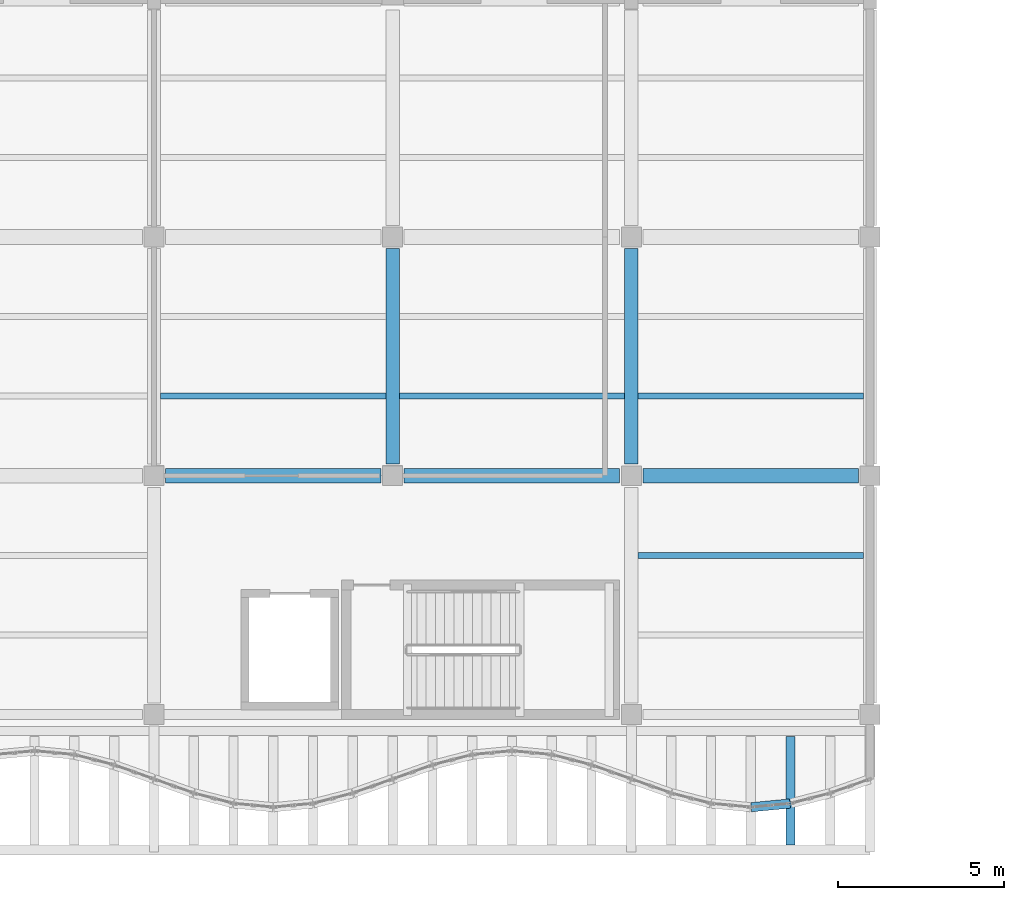
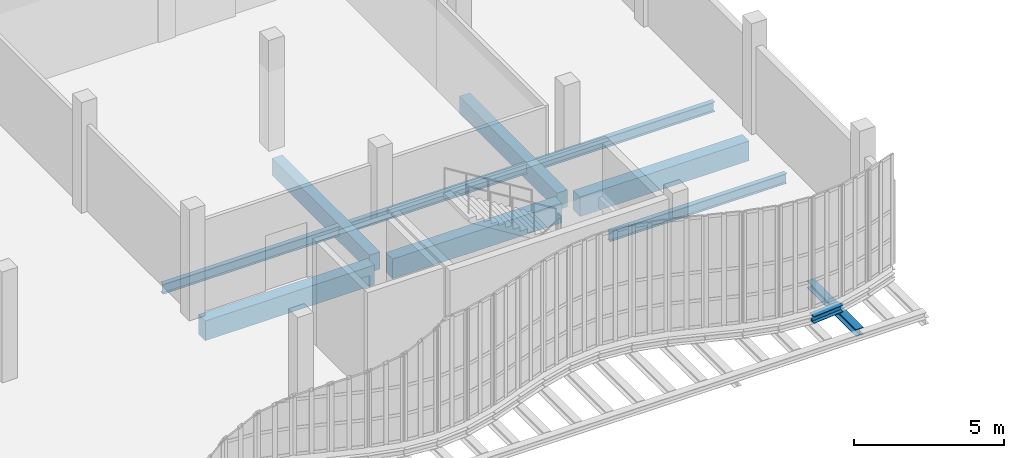
# One storey, part 34 of 105: 11 beams.
"""IFC4 building model written with IfcOpenShell, lengths in metres."""

from ifc_helpers import new_model, si_unit, direction, frame, origin, origin_2d, place, context, subcontext, project, spatial, rectangle, i_section, extrude, material, material_profile, profile_set, type_object, element, save


model = new_model("IFC4")

# Units and contexts
model_context = context("Model", 3, precision=1e-05, world=origin(), true_north=direction((0.0, 1.0)))
body_context = subcontext(model_context, "Body", "Model", "MODEL_VIEW")
ifc_project = project(units=[si_unit("LENGTHUNIT", "METRE"), si_unit("AREAUNIT", "SQUARE_METRE"), si_unit("VOLUMEUNIT", "CUBIC_METRE"), si_unit("PLANEANGLEUNIT", "RADIAN"), si_unit("MASSUNIT", "GRAM", prefix="KILO"), si_unit("THERMODYNAMICTEMPERATUREUNIT", "KELVIN"), si_unit("POWERUNIT", "WATT")], contexts=[model_context])

# Site, building, storey
site_placement = place(None, origin())
site = spatial("IfcSite", under=ifc_project, at=site_placement, CompositionType="ELEMENT")
building_placement = place(site_placement, origin())
building = spatial("IfcBuilding", under=site, at=building_placement, Name="Kaldorven Railside Theatre", CompositionType="ELEMENT")
storey_placement = place(building_placement, frame((0.0, 0.0, 9.89990234375)))
storey = spatial("IfcBuildingStorey", under=building, at=storey_placement, Name="L02", CompositionType="ELEMENT", Elevation=9.89990234375)

# Beams
ifc_material_1 = material(Name="Steel S355", Category="steel")
ifc_material_profile_1 = material_profile(ifc_material_1, i_section(OverallWidth=0.280029296875, OverallDepth=0.280029296875, WebThickness=0.010498046875, FlangeThickness=0.01806640625, at=origin_2d()), Name="HEB 280")
ifc_profile_set_1 = profile_set([ifc_material_profile_1], Name="Steel S355")
beam_type_1 = type_object("IfcBeamType", Name="BM-HEB280", PredefinedType="SPANDREL", material=ifc_profile_set_1)
beam_1_placement = place(storey_placement, frame((119.614990234375, 16.4013671875, -0.419921875), z_axis=(0.99552436473, 0.094505233873, 0.0), x_axis=(-0.094505233873, 0.99552436473, 0.0)))
element("IfcBeam", 1, at=beam_1_placement, inside=storey, type_object=beam_type_1, Name="L02 Sinusoidal Flute Edge Spandrel FSB-142", PredefinedType="SPANDREL", context=body_context, shape_type="SweptSolid", body=[
    extrude(i_section(OverallWidth=0.280029296875, OverallDepth=0.280029296875, WebThickness=0.010498046875, FlangeThickness=0.01806640625, at=origin_2d()), origin(), (0.0, 0.0, 1.0), 1.175537109375),
])
beam_2_placement = place(storey_placement, frame((120.800048828125, 15.260009765625, -0.699951171875), z_axis=(0.0, 1.0, 0.0), x_axis=(-1.0, 0.0, 0.0)))
element("IfcBeam", 2, at=beam_2_placement, inside=storey, type_object=beam_type_1, Name="L02 Sinusoidal Diaphragm Rib Outrigger FOB-M143", PredefinedType="SPANDREL", context=body_context, shape_type="SweptSolid", body=[
    extrude(i_section(OverallWidth=0.280029296875, OverallDepth=0.280029296875, WebThickness=0.010498046875, FlangeThickness=0.01806640625, at=origin_2d()), origin(), (0.0, 0.0, 1.0), 3.280029296875),
])
ifc_material_profile_2 = material_profile(ifc_material_1, i_section(OverallWidth=0.179931640625, OverallDepth=0.39990234375, WebThickness=0.008544921875, FlangeThickness=0.013427734375, at=origin_2d()), Name="IPE 400")
ifc_profile_set_2 = profile_set([ifc_material_profile_2], Name="Steel S355")
beam_type_2 = type_object("IfcBeamType", Name="BM-IPE400", PredefinedType="JOIST", material=ifc_profile_set_2)
for number, where, z_axis, x_axis, name in (
    (3, (116.199951171875, 24.0, -0.47998046875), (1.0, 0.0, 0.0), (0.0, 1.0, 0.0), "L02 Secondary Floor Joist JG-L02-116-0240"),
    (4, (101.800048828125, 28.800048828125, -0.47998046875), (1.0, 0.0, 0.0), (0.0, 1.0, 0.0), "L02 Secondary Floor Joist JG-L02-101-0288"),
    (5, (109.0, 28.800048828125, -0.47998046875), (1.0, 0.0, 0.0), (0.0, 1.0, 0.0), "L02 Secondary Floor Joist JG-L02-108-0288"),
    (6, (116.199951171875, 28.800048828125, -0.47998046875), (1.0, 0.0, 0.0), (0.0, 1.0, 0.0), "L02 Secondary Floor Joist JG-L02-116-0288"),
):
    element("IfcBeam", number, at=place(storey_placement, frame(where, z_axis=z_axis, x_axis=x_axis)), inside=storey, type_object=beam_type_2, Name=name, PredefinedType="JOIST", context=body_context, shape_type="SweptSolid", body=[
        extrude(i_section(OverallWidth=0.179931640625, OverallDepth=0.39990234375, WebThickness=0.008544921875, FlangeThickness=0.013427734375, at=origin_2d()), origin(), (0.0, 0.0, 1.0), 6.800048828125),
    ])
ifc_material_2 = material(Name="Concrete C40/50", Category="concrete")
ifc_material_profile_3 = material_profile(ifc_material_2, rectangle(XDim=0.39990234375, YDim=0.699951171875, at=origin_2d()), Name="RC 400x700")
ifc_profile_set_3 = profile_set([ifc_material_profile_3], Name="Concrete C40/50")
beam_type_3 = type_object("IfcBeamType", Name="BM-RC400x700", PredefinedType="BEAM", material=ifc_profile_set_3)
for number, where, z_axis, x_axis, name in (
    (7, (108.800048828125, 26.75, -0.6298828125), (0.0, 1.0, 0.0), (-1.0, 0.0, 0.0), "L02 Girder BGY-L02-108-026-72"),
    (8, (116.0, 26.75, -0.6298828125), (0.0, 1.0, 0.0), (-1.0, 0.0, 0.0), "L02 Girder BGY-L02-116-026-72"),
):
    element("IfcBeam", number, at=place(storey_placement, frame(where, z_axis=z_axis, x_axis=x_axis)), inside=storey, type_object=beam_type_3, Name=name, PredefinedType="BEAM", context=body_context, shape_type="SweptSolid", body=[
        extrude(rectangle(XDim=0.39990234375, YDim=0.699951171875, at=origin_2d()), origin(), (0.0, 0.0, 1.0), 6.5),
    ])
ifc_material_profile_4 = material_profile(ifc_material_2, rectangle(XDim=0.449951171875, YDim=0.800048828125, at=origin_2d()), Name="RC 450x800")
ifc_profile_set_4 = profile_set([ifc_material_profile_4], Name="Concrete C40/50")
beam_type_4 = type_object("IfcBeamType", Name="BM-RC450x800", PredefinedType="BEAM", material=ifc_profile_set_4)
for number, where, z_axis, x_axis, name in (
    (9, (101.949951171875, 26.39990234375, -0.679931640625), (1.0, 0.0, 0.0), (0.0, 1.0, 0.0), "L02 Girder BGX-L02-101-026"),
    (10, (109.14990234375, 26.39990234375, -0.679931640625), (1.0, 0.0, 0.0), (0.0, 1.0, 0.0), "L02 Girder BGX-L02-108-026"),
    (11, (116.35009765625, 26.39990234375, -0.679931640625), (1.0, 0.0, 0.0), (0.0, 1.0, 0.0), "L02 Girder BGX-L02-116-026"),
):
    element("IfcBeam", number, at=place(storey_placement, frame(where, z_axis=z_axis, x_axis=x_axis)), inside=storey, type_object=beam_type_4, Name=name, PredefinedType="BEAM", context=body_context, shape_type="SweptSolid", body=[
        extrude(rectangle(XDim=0.449951171875, YDim=0.800048828125, at=origin_2d()), origin(), (0.0, 0.0, 1.0), 6.5),
    ])

save(model, "model.ifc")
